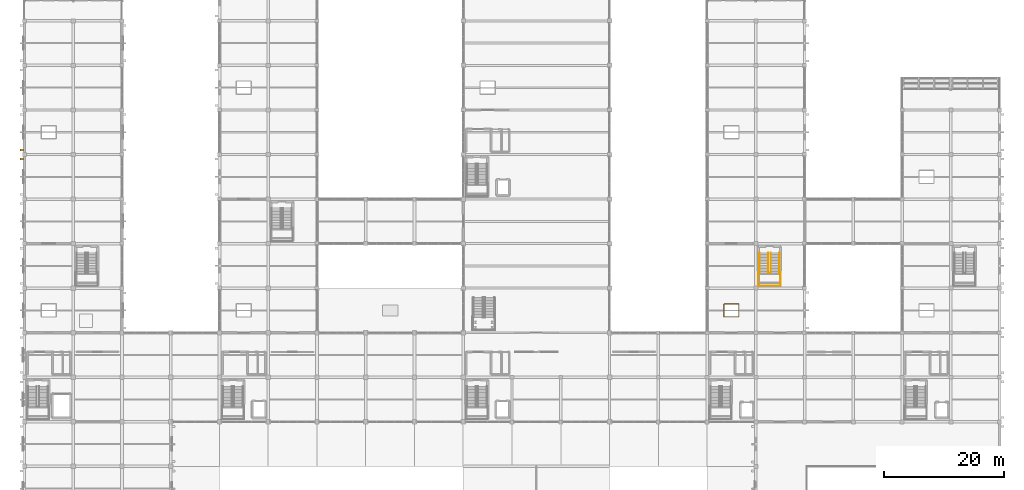
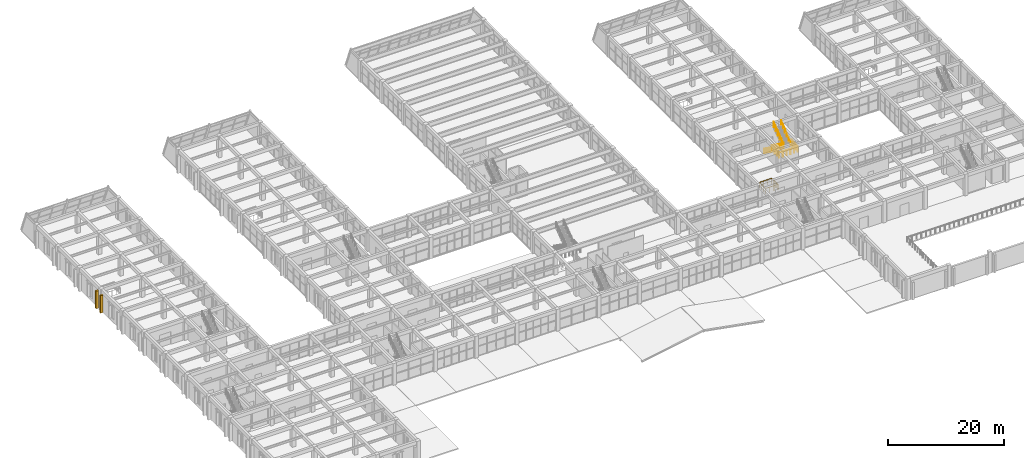
# One storey, part 158 of 161: 5 railings, 2 shading devices.
"""IFC4 building model written with IfcOpenShell, lengths in metres."""

import ifcopenshell
import ifcopenshell.guid

model = None  # the IFC model being written
_history = None  # IfcOwnerHistory: only IFC2X3 demands one
_inside = {}  # id of a spatial element -> (the spatial element, [elements in it])
_under = {}  # id of a project, library or spatial element -> (it, [spatial elements below it])
_declared = {}  # id of a project -> (the project, [libraries it declares])
_typed = {}  # id of a type object -> (the type object, [elements of that type])
_made_of = {}  # id of a material, layer set ... -> (it, [elements and type objects made of it])


def new_model(schema):
    """Start an empty IFC model of exactly this schema.

    Asked for "IFC4X3", IfcOpenShell would pick the latest addendum, in which some entities
    have other attributes; the version numbers below select the first issue.
    IFC2X3 requires an IfcOwnerHistory on every rooted entity: one is made here for all.
    """
    global model, _history
    if schema == "IFC4X3":
        model = ifcopenshell.file(schema_version=(4, 3, 0, 0))
    else:
        model = ifcopenshell.file(schema=schema)
    _inside.clear()
    _under.clear()
    _declared.clear()
    _typed.clear()
    _made_of.clear()
    _history = None
    if model.schema == "IFC2X3":
        org = make("IfcOrganization", Name="unknown")
        user = make(
            "IfcPersonAndOrganization",
            ThePerson=make("IfcPerson", FamilyName="unknown"),
            TheOrganization=org,
        )
        app = make(
            "IfcApplication",
            ApplicationDeveloper=org,
            Version="unknown",
            ApplicationFullName="unknown",
            ApplicationIdentifier="unknown",
        )
        _history = make(
            "IfcOwnerHistory",
            OwningUser=user,
            OwningApplication=app,
            ChangeAction="ADDED",
            CreationDate=0,
        )
    return model


def make(cls, **values):
    """One entity of the class cls with the attributes given. An attribute that is None is left unset."""
    return model.create_entity(
        cls, **{name: value for name, value in values.items() if value is not None}
    )


def rooted(cls, **values):
    """An entity with a GlobalId (a new one), such as an element, a storey or a relation."""
    return make(cls, GlobalId=ifcopenshell.guid.new(), OwnerHistory=_history, **values)


def si_unit(unit_type, name, prefix=None):
    """IfcSIUnit, for example si_unit("LENGTHUNIT", "METRE", prefix="MILLI")."""
    return make("IfcSIUnit", UnitType=unit_type, Prefix=prefix, Name=name)


def assignment(units):
    """IfcUnitAssignment: the units of a project."""
    return None if units is None else make("IfcUnitAssignment", Units=units)


def point(xyz):
    """IfcCartesianPoint."""
    return None if xyz is None else make("IfcCartesianPoint", Coordinates=xyz)


def direction(xyz):
    """IfcDirection."""
    return None if xyz is None else make("IfcDirection", DirectionRatios=xyz)


def frame(location, z_axis=None, x_axis=None):
    """IfcAxis2Placement3D, a coordinate frame: its origin and axes. An axis left out is left unset."""
    return make(
        "IfcAxis2Placement3D",
        Location=point(location),
        Axis=direction(z_axis),
        RefDirection=direction(x_axis),
    )


def frame_2d(location, x_axis=None):
    """IfcAxis2Placement2D, a coordinate frame in the plane: its origin and x axis."""
    return make(
        "IfcAxis2Placement2D", Location=point(location), RefDirection=direction(x_axis)
    )


def origin():
    """The frame at (0, 0, 0) with its axes left unset."""
    return frame((0.0, 0.0, 0.0))


def origin_2d():
    """The frame at (0, 0) in the plane with its x axis left unset."""
    return frame_2d((0.0, 0.0))


def place(relative_to, where):
    """IfcLocalPlacement: puts the frame where relative to a parent placement (None: the world)."""
    return make(
        "IfcLocalPlacement", PlacementRelTo=relative_to, RelativePlacement=where
    )


def context(
    kind, dimensions, precision=None, world=None, true_north=None, identifier=None
):
    """IfcGeometricRepresentationContext, for example the 3D "Model" context."""
    return make(
        "IfcGeometricRepresentationContext",
        ContextIdentifier=identifier,
        ContextType=kind,
        CoordinateSpaceDimension=dimensions,
        Precision=precision,
        WorldCoordinateSystem=world,
        TrueNorth=true_north,
    )


def subcontext(parent, identifier, kind, view, scale=None):
    """IfcGeometricRepresentationSubContext, for example "Body" below "Model"."""
    return make(
        "IfcGeometricRepresentationSubContext",
        ContextIdentifier=identifier,
        ContextType=kind,
        ParentContext=parent,
        TargetScale=scale,
        TargetView=view,
    )


def project(units=None, contexts=None):
    """IfcProject with its units and contexts."""
    return rooted(
        "IfcProject",
        Name="project",
        RepresentationContexts=contexts,
        UnitsInContext=assignment(units),
    )


def spatial(cls, under=None, at=None, **own):
    """A site, building, storey or space (cls), placed at a placement, below another one or the project."""
    s = rooted(cls, ObjectPlacement=at, **own)
    if under is not None:
        _under.setdefault(under.id(), (under, []))[1].append(s)
    return s


def profile(cls, at=None, kind="AREA", **sizes):
    """A parametric profile (cls). Its sizes go by their IFC names, for example OverallWidth=200.0."""
    return make(cls, ProfileType=kind, Position=at, **sizes)


def rectangle(**sizes):
    """IfcRectangleProfileDef."""
    return profile("IfcRectangleProfileDef", **sizes)


def circle(**sizes):
    """IfcCircleProfileDef."""
    return profile("IfcCircleProfileDef", **sizes)


def extrude(swept, where, along, depth):
    """IfcExtrudedAreaSolid: the profile swept, set in the frame where, extruded along a direction by depth."""
    return make(
        "IfcExtrudedAreaSolid",
        SweptArea=swept,
        Position=where,
        ExtrudedDirection=direction(along),
        Depth=depth,
    )


def shape(context_of_items, identifier, shape_type, items):
    """IfcShapeRepresentation: the items that make up one representation, for example the "Body"."""
    return make(
        "IfcShapeRepresentation",
        ContextOfItems=context_of_items,
        RepresentationIdentifier=identifier,
        RepresentationType=shape_type,
        Items=items,
    )


def material(Name=None, Category=None):
    """IfcMaterial."""
    return make("IfcMaterial", Name=Name, Category=Category)


def made_of(thing, what):
    """Note that an element or type object is made of a material, layer set ...; save() writes the relation."""
    if what is not None:
        _made_of.setdefault(what.id(), (what, []))[1].append(thing)
    return thing


def type_object(cls, material=None, **own):
    """A type object (cls), such as IfcWallType, which elements share."""
    return made_of(rooted(cls, **own), material)


def element(
    cls,
    number,
    at=None,
    inside=None,
    cuts=None,
    type_object=None,
    material=None,
    context=None,
    identifier="Body",
    shape_type=None,
    held_by="IfcProductDefinitionShape",
    body=None,
    shapes=None,
    **own,
):
    """One element of the class cls, such as IfcWall. Its Tag is "e" and its number.

    at: its placement. inside: the storey or other place that contains it. cuts: it is an
    opening in that element (IfcRelVoidsElement). A single representation is given by context,
    identifier, shape_type and body (its items); several are given by shapes. held_by: the class
    of the entity that holds the representations. save() writes the other relations.
    """
    e = rooted(cls, Tag="e%d" % number, ObjectPlacement=at, **own)
    if body is not None:
        shapes = [shape(context, identifier, shape_type, body)]
    if shapes is not None:
        e.Representation = make(held_by, Representations=shapes)
    if inside is not None:
        _inside.setdefault(inside.id(), (inside, []))[1].append(e)
    if cuts is not None:
        rooted(
            "IfcRelVoidsElement", RelatingBuildingElement=cuts, RelatedOpeningElement=e
        )
    if type_object is not None:
        _typed.setdefault(type_object.id(), (type_object, []))[1].append(e)
    return made_of(e, material)


def aggregate(whole, parts):
    """IfcRelAggregates: a whole, such as a stair, and the parts it consists of."""
    return rooted("IfcRelAggregates", RelatingObject=whole, RelatedObjects=parts)


def save(model, path):
    """Write the relations noted so far, then the file.

    IfcRelAggregates (storeys below a building ...), IfcRelContainedInSpatialStructure (elements
    in a storey), IfcRelDefinesByType, IfcRelAssociatesMaterial and IfcRelDeclares: one each for
    every whole, place, type object, material and project.
    """
    for whole, parts in _under.values():
        aggregate(whole, parts)
    for where, things in _inside.values():
        rooted(
            "IfcRelContainedInSpatialStructure",
            RelatedElements=things,
            RelatingStructure=where,
        )
    for kind, things in _typed.values():
        rooted("IfcRelDefinesByType", RelatedObjects=things, RelatingType=kind)
    for what, things in _made_of.values():
        rooted("IfcRelAssociatesMaterial", RelatedObjects=things, RelatingMaterial=what)
    for by, libraries in _declared.values():
        rooted("IfcRelDeclares", RelatingContext=by, RelatedDefinitions=libraries)
    model.write(path)


model = new_model("IFC4")

# Units and contexts
model_context = context("Model", 3, precision=1e-05, world=origin(), true_north=direction((0.0, 1.0)))
body_context = subcontext(model_context, "Body", "Model", "MODEL_VIEW")
ifc_project = project(units=[si_unit("LENGTHUNIT", "METRE"), si_unit("AREAUNIT", "SQUARE_METRE"), si_unit("VOLUMEUNIT", "CUBIC_METRE"), si_unit("PLANEANGLEUNIT", "RADIAN"), si_unit("MASSUNIT", "GRAM", prefix="KILO")], contexts=[model_context])

# Site, building, storey
site_placement = place(None, origin())
site = spatial("IfcSite", under=ifc_project, at=site_placement, CompositionType="ELEMENT")
building_placement = place(site_placement, origin())
building = spatial("IfcBuilding", under=site, at=building_placement, Name="Cimatlan Art Gallery", CompositionType="ELEMENT")
storey_placement = place(building_placement, frame((0.0, 0.0, 5.39990234375)))
storey = spatial("IfcBuildingStorey", under=building, at=storey_placement, Name="L01", CompositionType="ELEMENT", Elevation=5.39990234375)

# Railings
ifc_material_1 = material(Name="Painted steel and bronze interior balustrade", Category="steel")
railing_type_1 = type_object("IfcRailingType", Name="RL-BAL-INT-1120", PredefinedType="BALUSTRADE", material=ifc_material_1)
railing_1_placement = place(storey_placement, frame((123.909912109375, 48.7099609375, 2.400146484375)))
element("IfcRailing", 1, at=railing_1_placement, inside=storey, type_object=railing_type_1, Name="STR-C9-L01-LGRD", PredefinedType="BALUSTRADE", context=body_context, shape_type="SweptSolid", body=[
    extrude(circle(Radius=0.02392578125, at=origin_2d()), frame((0.0, 0.0, 1.09619140625), z_axis=(0.0, -1.0, 0.0), x_axis=(1.0, 0.0, 0.0)), (0.0, 0.0, 1.0), 2.199951171875),
    extrude(circle(Radius=0.02392578125, at=origin_2d()), frame((0.0, -2.199951171875, 1.09619140625), z_axis=(1.0, 0.0, 0.0), x_axis=(0.0, 1.0, 0.0)), (0.0, 0.0, 1.0), 3.670166015625),
    extrude(circle(Radius=0.02392578125, at=origin_2d()), frame((3.670166015625, -2.199951171875, 1.09619140625), z_axis=(0.0, 1.0, 0.0), x_axis=(-1.0, 0.0, 0.0)), (0.0, 0.0, 1.0), 2.199951171875),
    extrude(circle(Radius=0.02001953125, at=origin_2d()), origin(), (0.0, 0.0, 1.0), 1.072021484375),
    extrude(circle(Radius=0.02001953125, at=origin_2d()), frame((0.0, -0.7333984375, 0.0)), (0.0, 0.0, 1.0), 1.072021484375),
    extrude(circle(Radius=0.02001953125, at=origin_2d()), frame((0.0, -1.466552734375, 0.0)), (0.0, 0.0, 1.0), 1.072021484375),
    extrude(circle(Radius=0.02001953125, at=origin_2d()), frame((0.0, -2.199951171875, 0.0)), (0.0, 0.0, 1.0), 1.072021484375),
    extrude(circle(Radius=0.02001953125, at=origin_2d()), frame((0.734130859375, -2.199951171875, 0.0)), (0.0, 0.0, 1.0), 1.072021484375),
    extrude(circle(Radius=0.02001953125, at=origin_2d()), frame((1.468017578125, -2.199951171875, 0.0)), (0.0, 0.0, 1.0), 1.072021484375),
    extrude(circle(Radius=0.02001953125, at=origin_2d()), frame((2.2021484375, -2.199951171875, 0.0)), (0.0, 0.0, 1.0), 1.072021484375),
    extrude(circle(Radius=0.02001953125, at=origin_2d()), frame((2.93603515625, -2.199951171875, 0.0)), (0.0, 0.0, 1.0), 1.072021484375),
    extrude(circle(Radius=0.02001953125, at=origin_2d()), frame((3.670166015625, -2.199951171875, 0.0)), (0.0, 0.0, 1.0), 1.072021484375),
    extrude(circle(Radius=0.02001953125, at=origin_2d()), frame((3.670166015625, -1.466552734375, 0.0)), (0.0, 0.0, 1.0), 1.072021484375),
    extrude(circle(Radius=0.02001953125, at=origin_2d()), frame((3.670166015625, -0.7333984375, 0.0)), (0.0, 0.0, 1.0), 1.072021484375),
    extrude(circle(Radius=0.02001953125, at=origin_2d()), frame((3.670166015625, 0.0, 0.0)), (0.0, 0.0, 1.0), 1.072021484375),
])
railing_2_placement = place(storey_placement, frame((125.570068359375, 51.97998046875, 0.0)))
element("IfcRailing", 2, at=railing_2_placement, inside=storey, type_object=railing_type_1, Name="STR-C9-L01-GRD", PredefinedType="BALUSTRADE", context=body_context, shape_type="SweptSolid", body=[
    extrude(circle(Radius=0.02392578125, at=origin_2d()), frame((0.0, 0.0, 1.09619140625), z_axis=(0.0, -0.815334052488, 0.578990831408), x_axis=(1.0, 0.0, 0.0)), (0.0, 0.0, 1.0), 4.1455078125),
    extrude(circle(Radius=0.02392578125, at=origin_2d()), frame((0.0, -3.3798828125, 3.49609375), z_axis=(1.0, 0.0, 0.0), x_axis=(0.0, 1.0, 0.0)), (0.0, 0.0, 1.0), 0.39990234375),
    extrude(circle(Radius=0.02392578125, at=origin_2d()), frame((0.39990234375, -3.3798828125, 3.49609375), z_axis=(0.0, 0.81536185483, 0.578951678198), x_axis=(-1.0, 0.0, 0.0)), (0.0, 0.0, 1.0), 4.145263671875),
    extrude(circle(Radius=0.02001953125, at=origin_2d()), origin(), (0.0, 0.0, 1.0), 1.072021484375),
    extrude(circle(Radius=0.02001953125, at=origin_2d()), frame((0.0, -0.676025390625, 0.47998046875)), (0.0, 0.0, 1.0), 1.072021484375),
    extrude(circle(Radius=0.02001953125, at=origin_2d()), frame((0.0, -1.35205078125, 0.9599609375)), (0.0, 0.0, 1.0), 1.072021484375),
    extrude(circle(Radius=0.02001953125, at=origin_2d()), frame((0.0, -2.02783203125, 1.440185546875)), (0.0, 0.0, 1.0), 1.072021484375),
    extrude(circle(Radius=0.02001953125, at=origin_2d()), frame((0.0, -2.703857421875, 1.920166015625)), (0.0, 0.0, 1.0), 1.072021484375),
    extrude(circle(Radius=0.02001953125, at=origin_2d()), frame((0.0, -3.3798828125, 2.400146484375)), (0.0, 0.0, 1.0), 1.072021484375),
    extrude(circle(Radius=0.02001953125, at=origin_2d()), frame((0.39990234375, -3.3798828125, 2.400146484375)), (0.0, 0.0, 1.0), 1.072021484375),
    extrude(circle(Radius=0.02001953125, at=origin_2d()), frame((0.39990234375, -2.703857421875, 2.880126953125)), (0.0, 0.0, 1.0), 1.072021484375),
    extrude(circle(Radius=0.02001953125, at=origin_2d()), frame((0.39990234375, -2.02783203125, 3.360107421875)), (0.0, 0.0, 1.0), 1.072021484375),
    extrude(circle(Radius=0.02001953125, at=origin_2d()), frame((0.39990234375, -1.35205078125, 3.840087890625)), (0.0, 0.0, 1.0), 1.072021484375),
    extrude(circle(Radius=0.02001953125, at=origin_2d()), frame((0.39990234375, -0.676025390625, 4.320068359375)), (0.0, 0.0, 1.0), 1.072021484375),
    extrude(circle(Radius=0.02001953125, at=origin_2d()), frame((0.39990234375, 0.0, 4.800048828125)), (0.0, 0.0, 1.0), 1.072021484375),
])
railing_3_placement = place(storey_placement, frame((118.239990234375, 41.340087890625, 0.0)))
element("IfcRailing", 3, at=railing_3_placement, inside=storey, type_object=railing_type_1, Name="GR-OCU-L01-B4S", PredefinedType="BALUSTRADE", context=body_context, shape_type="SweptSolid", body=[
    extrude(circle(Radius=0.02392578125, at=origin_2d()), frame((0.0, 0.0, 1.09619140625), z_axis=(1.0, 0.0, 0.0), x_axis=(0.0, 1.0, 0.0)), (0.0, 0.0, 1.0), 2.419921875),
    extrude(circle(Radius=0.02392578125, at=origin_2d()), frame((2.419921875, 0.0, 1.09619140625), z_axis=(0.0, 1.0, 0.0), x_axis=(-1.0, 0.0, 0.0)), (0.0, 0.0, 1.0), 2.119873046875),
    extrude(circle(Radius=0.02392578125, at=origin_2d()), frame((2.419921875, 2.119873046875, 1.09619140625), z_axis=(-1.0, 0.0, 0.0), x_axis=(0.0, -1.0, 0.0)), (0.0, 0.0, 1.0), 2.419921875),
    extrude(circle(Radius=0.02392578125, at=origin_2d()), frame((0.0, 2.119873046875, 1.09619140625), z_axis=(0.0, -1.0, 0.0), x_axis=(1.0, 0.0, 0.0)), (0.0, 0.0, 1.0), 2.080078125),
    extrude(circle(Radius=0.02001953125, at=origin_2d()), origin(), (0.0, 0.0, 1.0), 1.072021484375),
    extrude(circle(Radius=0.02001953125, at=origin_2d()), frame((0.806640625, 0.0, 0.0)), (0.0, 0.0, 1.0), 1.072021484375),
    extrude(circle(Radius=0.02001953125, at=origin_2d()), frame((1.61328125, 0.0, 0.0)), (0.0, 0.0, 1.0), 1.072021484375),
    extrude(circle(Radius=0.02001953125, at=origin_2d()), frame((2.419921875, 0.0, 0.0)), (0.0, 0.0, 1.0), 1.072021484375),
    extrude(circle(Radius=0.02001953125, at=origin_2d()), frame((2.419921875, 0.70654296875, 0.0)), (0.0, 0.0, 1.0), 1.072021484375),
    extrude(circle(Radius=0.02001953125, at=origin_2d()), frame((2.419921875, 1.413330078125, 0.0)), (0.0, 0.0, 1.0), 1.072021484375),
    extrude(circle(Radius=0.02001953125, at=origin_2d()), frame((2.419921875, 2.119873046875, 0.0)), (0.0, 0.0, 1.0), 1.072021484375),
    extrude(circle(Radius=0.02001953125, at=origin_2d()), frame((1.61328125, 2.119873046875, 0.0)), (0.0, 0.0, 1.0), 1.072021484375),
    extrude(circle(Radius=0.02001953125, at=origin_2d()), frame((0.806640625, 2.119873046875, 0.0)), (0.0, 0.0, 1.0), 1.072021484375),
    extrude(circle(Radius=0.02001953125, at=origin_2d()), frame((0.0, 2.119873046875, 0.0)), (0.0, 0.0, 1.0), 1.072021484375),
    extrude(circle(Radius=0.02001953125, at=origin_2d()), frame((0.0, 1.426513671875, 0.0)), (0.0, 0.0, 1.0), 1.072021484375),
    extrude(circle(Radius=0.02001953125, at=origin_2d()), frame((0.0, 0.733154296875, 0.0)), (0.0, 0.0, 1.0), 1.072021484375),
    extrude(circle(Radius=0.02001953125, at=origin_2d()), frame((0.0, 0.039794921875, 0.0)), (0.0, 0.0, 1.0), 1.072021484375),
])
ifc_material_2 = material(Name="Brushed bronze stair handrail")
railing_type_2 = type_object("IfcRailingType", Name="RL-HND-INT-920", PredefinedType="HANDRAIL", material=ifc_material_2)
railing_4_placement = place(storey_placement, frame((124.110107421875, 51.97998046875, 0.0)))
element("IfcRailing", 4, at=railing_4_placement, inside=storey, type_object=railing_type_2, Name="STR-C9-L01-HR1", PredefinedType="HANDRAIL", context=body_context, shape_type="SweptSolid", body=[
    extrude(circle(Radius=0.02197265625, at=origin_2d()), frame((0.0, 0.0, 0.89794921875), z_axis=(0.0, -0.815334052488, 0.578990831408), x_axis=(1.0, 0.0, 0.0)), (0.0, 0.0, 1.0), 4.1455078125),
    extrude(circle(Radius=0.01904296875, at=origin_2d()), origin(), (0.0, 0.0, 1.0), 0.8759765625),
    extrude(circle(Radius=0.01904296875, at=origin_2d()), frame((0.0, -0.676025390625, 0.47998046875)), (0.0, 0.0, 1.0), 0.8759765625),
    extrude(circle(Radius=0.01904296875, at=origin_2d()), frame((0.0, -1.35205078125, 0.9599609375)), (0.0, 0.0, 1.0), 0.8759765625),
    extrude(circle(Radius=0.01904296875, at=origin_2d()), frame((0.0, -2.02783203125, 1.440185546875)), (0.0, 0.0, 1.0), 0.8759765625),
    extrude(circle(Radius=0.01904296875, at=origin_2d()), frame((0.0, -2.703857421875, 1.920166015625)), (0.0, 0.0, 1.0), 0.8759765625),
    extrude(circle(Radius=0.01904296875, at=origin_2d()), frame((0.0, -3.3798828125, 2.400146484375)), (0.0, 0.0, 1.0), 0.8759765625),
])
railing_5_placement = place(storey_placement, frame((127.429931640625, 48.60009765625, 2.400146484375)))
element("IfcRailing", 5, at=railing_5_placement, inside=storey, type_object=railing_type_2, Name="STR-C9-L01-HR2", PredefinedType="HANDRAIL", context=body_context, shape_type="SweptSolid", body=[
    extrude(circle(Radius=0.02197265625, at=origin_2d()), frame((0.0, 0.0, 0.89794921875), z_axis=(0.0, 0.81536185483, 0.578951678198), x_axis=(-1.0, 0.0, 0.0)), (0.0, 0.0, 1.0), 4.145263671875),
    extrude(circle(Radius=0.01904296875, at=origin_2d()), origin(), (0.0, 0.0, 1.0), 0.8759765625),
    extrude(circle(Radius=0.01904296875, at=origin_2d()), frame((0.0, 0.676025390625, 0.47998046875)), (0.0, 0.0, 1.0), 0.8759765625),
    extrude(circle(Radius=0.01904296875, at=origin_2d()), frame((0.0, 1.35205078125, 0.9599609375)), (0.0, 0.0, 1.0), 0.8759765625),
    extrude(circle(Radius=0.01904296875, at=origin_2d()), frame((0.0, 2.02783203125, 1.43994140625)), (0.0, 0.0, 1.0), 0.8759765625),
    extrude(circle(Radius=0.01904296875, at=origin_2d()), frame((0.0, 2.703857421875, 1.919921875)), (0.0, 0.0, 1.0), 0.8759765625),
    extrude(circle(Radius=0.01904296875, at=origin_2d()), frame((0.0, 3.3798828125, 2.39990234375)), (0.0, 0.0, 1.0), 0.8759765625),
])

# Shading devices
ifc_material_3 = material(Name="Queretaro cantera limestone buttress pilaster", Category="masonry")
shading_device_type = type_object("IfcShadingDeviceType", Name="SHD-BUT-520", PredefinedType="USERDEFINED", material=ifc_material_3)
for number, where, z_axis, x_axis, name in (
    (6, (1.5595703125, 67.52587890625, 0.06005859375), (0.0, 0.0, 1.0), (0.0, 1.0, 0.0), "BUT-0140"),
    (7, (1.5595703125, 69.073974609375, 0.06005859375), (0.0, 0.0, 1.0), (0.0, 1.0, 0.0), "BUT-0141"),
):
    element("IfcShadingDevice", number, at=place(storey_placement, frame(where, z_axis=z_axis, x_axis=x_axis)), inside=storey, type_object=shading_device_type, Name=name, ObjectType="FIN", PredefinedType="USERDEFINED", context=body_context, shape_type="SweptSolid", body=[
        extrude(rectangle(XDim=0.340087890625, YDim=0.52001953125, at=origin_2d()), origin(), (0.0, 0.0, 1.0), 3.675048828125),
    ])

save(model, "model.ifc")
